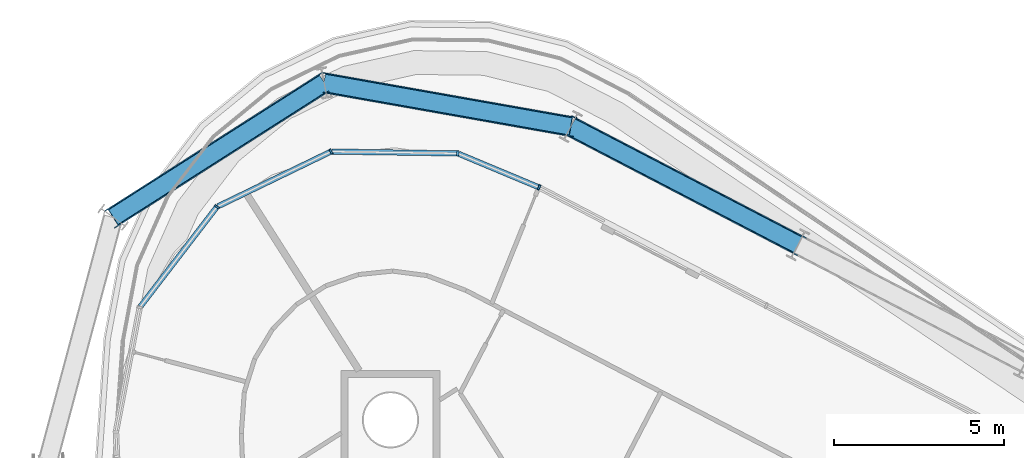
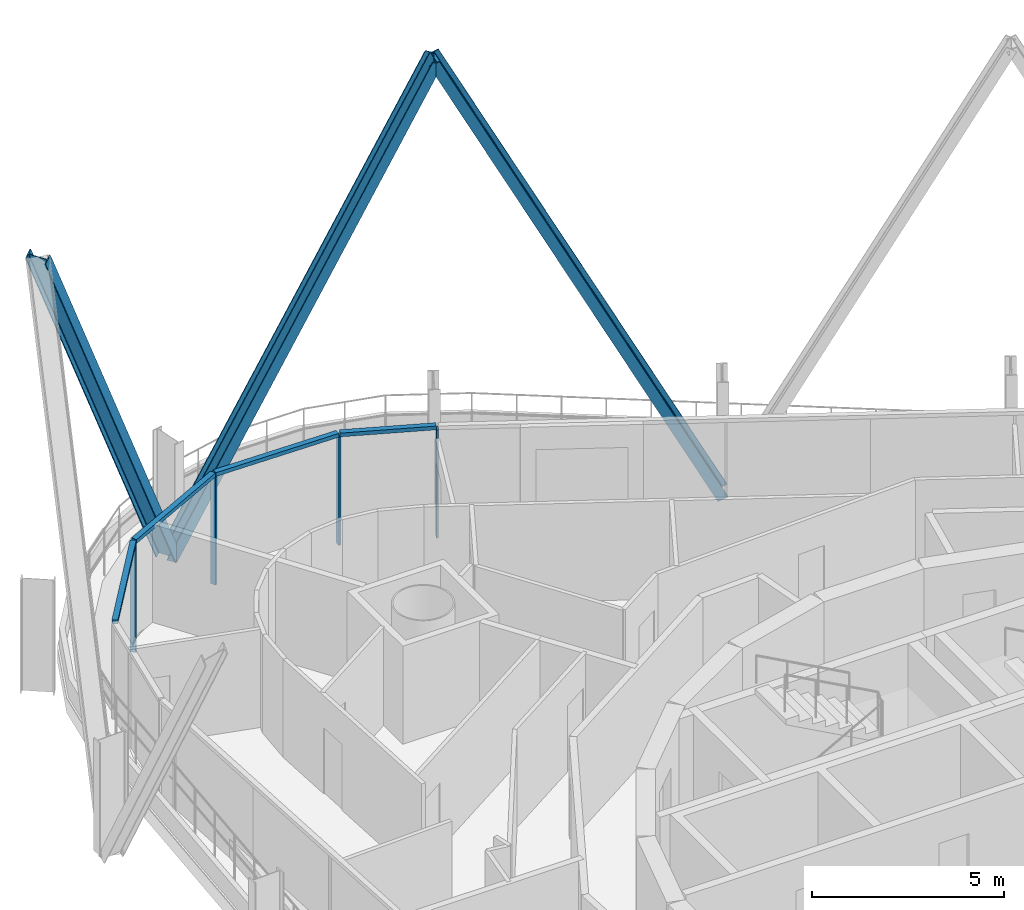
# One storey, part 8 of 20: 11 members, 1 element without a shape of its own.
"""IFC4 building model written with IfcOpenShell, lengths in metres."""

from ifc_helpers import new_model, si_unit, direction, frame, origin, origin_2d, place, context, subcontext, project, spatial, rectangle, i_section, extrude, material, layer, layer_set, material_profile, profile_set, type_object, element, aggregate, save


model = new_model("IFC4")

# Units and contexts
model_context = context("Model", 3, precision=1e-05, world=origin(), true_north=direction((0.0, 1.0)))
body_context = subcontext(model_context, "Body", "Model", "MODEL_VIEW")
ifc_project = project(units=[si_unit("LENGTHUNIT", "METRE"), si_unit("AREAUNIT", "SQUARE_METRE"), si_unit("VOLUMEUNIT", "CUBIC_METRE"), si_unit("PLANEANGLEUNIT", "RADIAN"), si_unit("MASSUNIT", "GRAM", prefix="KILO")], contexts=[model_context])

# Site, building, storey
site_placement = place(None, origin())
site = spatial("IfcSite", under=ifc_project, at=site_placement, CompositionType="ELEMENT")
building_placement = place(site_placement, origin())
building = spatial("IfcBuilding", under=site, at=building_placement, Name="Spindle Arch Residences", CompositionType="ELEMENT")
storey_placement = place(building_placement, frame((0.0, 0.0, 226.699951171875)))
storey = spatial("IfcBuildingStorey", under=building, at=storey_placement, Name="L57", CompositionType="ELEMENT", Elevation=226.699951171875)

# Curtain wall, members
ifc_material_1 = material(Name="Aluminium bronze unitised frame with tinted glass", Category="aluminium")
ifc_layer = layer(ifc_material_1, 0.159912109375)
ifc_layer_set = layer_set([ifc_layer], Name="CW-D corner wall on the fillet arcs")
curtain_wall_type = type_object("IfcCurtainWallType", Name="CW-D corner wall on the fillet arcs", PredefinedType="NOTDEFINED", material=ifc_layer_set)
curtain_wall_placement = place(storey_placement, origin())
curtain_wall = element("IfcCurtainWall", 1, at=curtain_wall_placement, inside=storey, type_object=curtain_wall_type, Name="CW-D L57 run 3", PredefinedType="NOTDEFINED")
ifc_material_2 = material(Name="Aluminium bronze anodised mullion", Category="aluminium")
ifc_material_profile_1 = material_profile(ifc_material_2, rectangle(XDim=0.159912109375, YDim=0.06005859375, at=origin_2d()), Name="MU 60x160")
ifc_profile_set_1 = profile_set([ifc_material_profile_1], Name="Aluminium bronze anodised mullion")
member_type_1 = type_object("IfcMemberType", Name="Bronze mullion 60x160", PredefinedType="MULLION", material=ifc_profile_set_1)
member_1_placement = place(storey_placement, frame((-6.19970703125, 23.423828125, -0.449951171875), z_axis=(0.0, 0.0, 1.0), x_axis=(-0.385552013734, -0.92268610302, 0.0)))
member_1 = element("IfcMember", 2, at=member_1_placement, type_object=member_type_1, Name="CW-D mullion 00", PredefinedType="MULLION", context=body_context, shape_type="SweptSolid", body=[
    extrude(rectangle(XDim=0.159912109375, YDim=0.06005859375, at=origin_2d()), origin(), (0.0, 0.0, 1.0), 3.449951171875),
])
member_2_placement = place(storey_placement, frame((-8.590576171875, 24.422607421875, -0.449951171875), z_axis=(0.0, 0.0, 1.0), x_axis=(-0.014543896145, -0.999894231949, 0.0)))
member_2 = element("IfcMember", 3, at=member_2_placement, type_object=member_type_1, Name="CW-D mullion 01", PredefinedType="MULLION", context=body_context, shape_type="SweptSolid", body=[
    extrude(rectangle(XDim=0.159912109375, YDim=0.06005859375, at=origin_2d()), origin(), (0.0, 0.0, 1.0), 3.449951171875),
])
member_3_placement = place(storey_placement, frame((-12.31689453125, 24.476806640625, -0.449951171875), z_axis=(0.0, 0.0, 1.0), x_axis=(0.435754815677, -0.900065409075, 0.0)))
member_3 = element("IfcMember", 4, at=member_3_placement, type_object=member_type_1, Name="CW-D mullion 02", PredefinedType="MULLION", context=body_context, shape_type="SweptSolid", body=[
    extrude(rectangle(XDim=0.159912109375, YDim=0.06005859375, at=origin_2d()), origin(), (0.0, 0.0, 1.0), 3.449951171875),
])
member_4_placement = place(storey_placement, frame((-15.671142578125, 22.85302734375, -0.449951171875), z_axis=(0.0, 0.0, 1.0), x_axis=(0.793353344679, -0.60876142329, 0.0)))
member_4 = element("IfcMember", 5, at=member_4_placement, type_object=member_type_1, Name="CW-D mullion 03", PredefinedType="MULLION", context=body_context, shape_type="SweptSolid", body=[
    extrude(rectangle(XDim=0.159912109375, YDim=0.06005859375, at=origin_2d()), origin(), (0.0, 0.0, 1.0), 3.449951171875),
])
ifc_material_3 = material(Name="Aluminium bronze anodised transom", Category="aluminium")
ifc_material_profile_2 = material_profile(ifc_material_3, rectangle(XDim=0.159912109375, YDim=0.1201171875, at=origin_2d()), Name="TR 120x160")
ifc_profile_set_2 = profile_set([ifc_material_profile_2], Name="Aluminium bronze anodised transom")
member_type_2 = type_object("IfcMemberType", Name="Bronze transom 120x160", PredefinedType="USERDEFINED", material=ifc_profile_set_2)
member_5_placement = place(storey_placement, frame((-6.2275390625, 23.435302734375, 3.06005859375), z_axis=(-0.922679730335, 0.385567264208, 0.0), x_axis=(-0.385567264208, -0.922679730335, 0.0)))
member_5 = element("IfcMember", 6, at=member_5_placement, type_object=member_type_2, Name="CW-D transom 00", ObjectType="TRANSOM", PredefinedType="USERDEFINED", context=body_context, shape_type="SweptSolid", body=[
    extrude(rectangle(XDim=0.159912109375, YDim=0.1201171875, at=origin_2d()), origin(), (0.0, 0.0, 1.0), 2.531005859375),
])
member_6_placement = place(storey_placement, frame((-8.620361328125, 24.423095703125, 3.06005859375), z_axis=(-0.999893692287, 0.014580950766, 0.0), x_axis=(-0.014580950766, -0.999893692287, 0.0)))
member_6 = element("IfcMember", 7, at=member_6_placement, type_object=member_type_2, Name="CW-D transom 01", ObjectType="TRANSOM", PredefinedType="USERDEFINED", context=body_context, shape_type="SweptSolid", body=[
    extrude(rectangle(XDim=0.159912109375, YDim=0.1201171875, at=origin_2d()), origin(), (0.0, 0.0, 1.0), 3.6669921875),
])
member_7_placement = place(storey_placement, frame((-12.34375, 24.4638671875, 3.06005859375), z_axis=(-0.900053962869, -0.435778457388, 0.0), x_axis=(0.435778457388, -0.900053962869, 0.0)))
member_7 = element("IfcMember", 8, at=member_7_placement, type_object=member_type_2, Name="CW-D transom 02", ObjectType="TRANSOM", PredefinedType="USERDEFINED", context=body_context, shape_type="SweptSolid", body=[
    extrude(rectangle(XDim=0.159912109375, YDim=0.1201171875, at=origin_2d()), origin(), (0.0, 0.0, 1.0), 3.666748046875),
])
member_8_placement = place(storey_placement, frame((-15.689453125, 22.8291015625, 3.06005859375), z_axis=(-0.608773956943, -0.793343727112, 0.0), x_axis=(0.793343727112, -0.608773956943, 0.0)))
member_8 = element("IfcMember", 9, at=member_8_placement, type_object=member_type_2, Name="CW-D transom 03", ObjectType="TRANSOM", PredefinedType="USERDEFINED", context=body_context, shape_type="SweptSolid", body=[
    extrude(rectangle(XDim=0.159912109375, YDim=0.1201171875, at=origin_2d()), origin(), (0.0, 0.0, 1.0), 3.666748046875),
])
aggregate(curtain_wall, [member_1, member_5, member_2, member_6, member_3, member_7, member_4, member_8])

# Members
ifc_material_4 = material(Name="Steel S460ML, intumescent coating R 240", Category="steel")
ifc_material_profile_3 = material_profile(ifc_material_4, i_section(OverallWidth=0.300048828125, OverallDepth=0.60009765625, WebThickness=0.015380859375, FlangeThickness=0.030029296875, FilletRadius=0.027099609375, at=origin_2d()), Name="HEB 600")
ifc_profile_set_3 = profile_set([ifc_material_profile_3], Name="Steel S460ML, intumescent coating R 240")
member_type_3 = type_object("IfcMemberType", Name="Diagrid diagonal HEB 600", PredefinedType="BRACE", material=ifc_profile_set_3)
member_9_placement = place(storey_placement, frame((1.412109375, 21.738525390625, -0.699951171875), z_axis=(-0.418539894553, 0.217883075452, 0.881675292894), x_axis=(0.782051711886, -0.407119690061, 0.471856628544)))
element("IfcMember", 10, at=member_9_placement, inside=storey, type_object=member_type_3, Name="Diagrid diagonal 6.1.9", PredefinedType="BRACE", context=body_context, shape_type="SweptSolid", body=[
    extrude(i_section(OverallWidth=0.300048828125, OverallDepth=0.60009765625, WebThickness=0.015380859375, FlangeThickness=0.030029296875, FilletRadius=0.027099609375, at=origin_2d()), origin(), (0.0, 0.0, 1.0), 15.958251953125),
])
member_10_placement = place(storey_placement, frame((-12.51953125, 26.498046875, -0.699951171875), z_axis=(0.456671113782, -0.080754506184, 0.885962868053), x_axis=(-0.872427506831, 0.154273941069, 0.463756182096)))
element("IfcMember", 11, at=member_10_placement, inside=storey, type_object=member_type_3, Name="Diagrid diagonal 6.1.10", PredefinedType="BRACE", context=body_context, shape_type="SweptSolid", body=[
    extrude(i_section(OverallWidth=0.300048828125, OverallDepth=0.60009765625, WebThickness=0.015380859375, FlangeThickness=0.030029296875, FilletRadius=0.027099609375, at=origin_2d()), origin(), (0.0, 0.0, 1.0), 15.881103515625),
])
member_11_placement = place(storey_placement, frame((-12.51953125, 26.498046875, -0.699951171875), z_axis=(-0.390796428797, -0.24896261966, 0.886169151603), x_axis=(0.747389356691, 0.476135395404, 0.463361883141)))
element("IfcMember", 12, at=member_11_placement, inside=storey, type_object=member_type_3, Name="Diagrid diagonal 6.1.11", PredefinedType="BRACE", context=body_context, shape_type="SweptSolid", body=[
    extrude(i_section(OverallWidth=0.300048828125, OverallDepth=0.60009765625, WebThickness=0.015380859375, FlangeThickness=0.030029296875, FilletRadius=0.027099609375, at=origin_2d()), origin(), (0.0, 0.0, 1.0), 15.87744140625),
])

save(model, "model.ifc")
